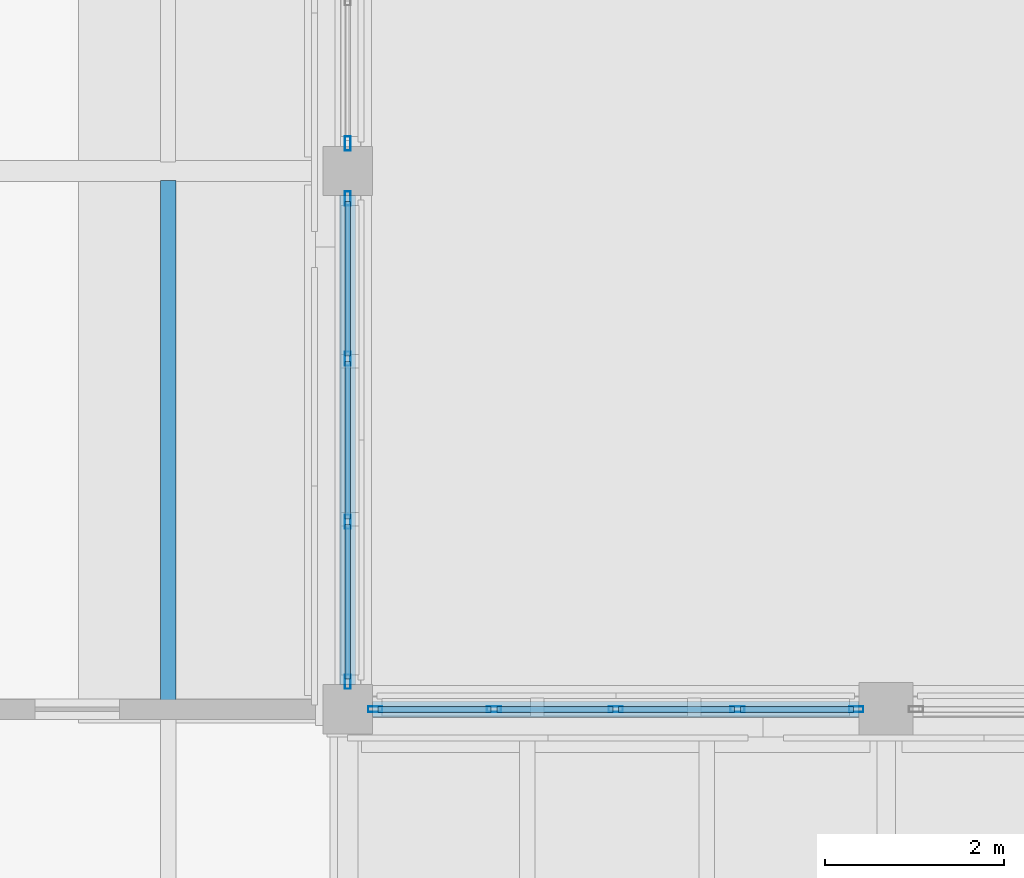
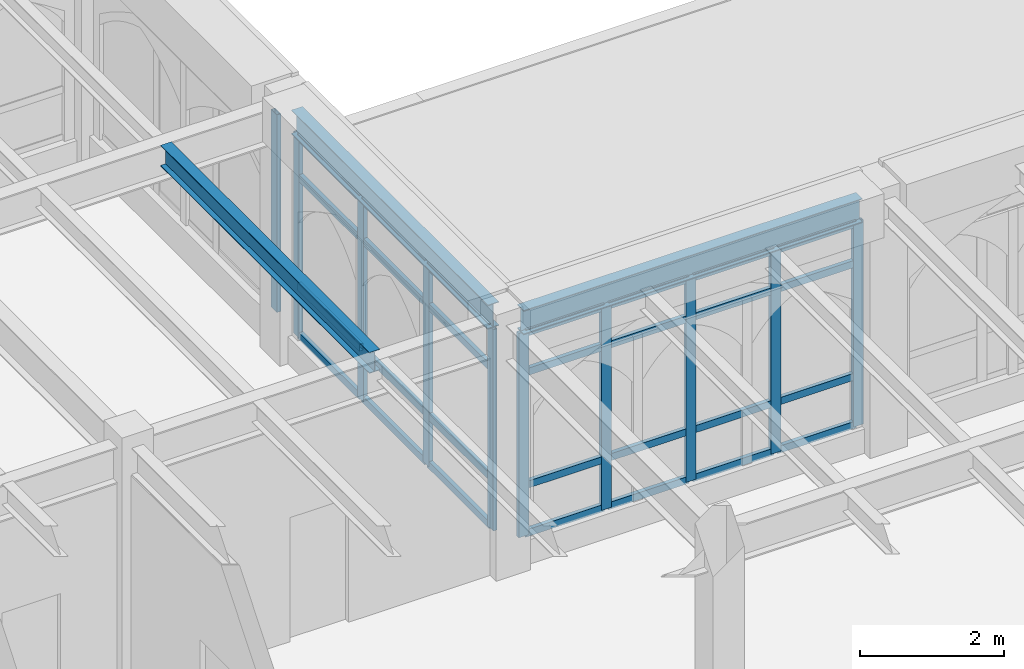
# One storey, part 75 of 143: 38 members, 3 beams, 3 elements without a shape of their own.
"""IFC4 building model written with IfcOpenShell, lengths in metres."""

from ifc_helpers import new_model, si_unit, direction, frame, origin, origin_2d, place, context, subcontext, project, spatial, hollow_rectangle, i_section, extrude, material, layer, layer_set, material_profile, profile_set, type_object, element, aggregate, save


model = new_model("IFC4")

# Units and contexts
model_context = context("Model", 3, precision=1e-05, world=origin(), true_north=direction((0.0, 1.0)))
body_context = subcontext(model_context, "Body", "Model", "MODEL_VIEW")
ifc_project = project(units=[si_unit("LENGTHUNIT", "METRE"), si_unit("AREAUNIT", "SQUARE_METRE"), si_unit("VOLUMEUNIT", "CUBIC_METRE"), si_unit("PLANEANGLEUNIT", "RADIAN"), si_unit("MASSUNIT", "GRAM", prefix="KILO")], contexts=[model_context])

# Site, building, storey
site_placement = place(None, origin())
site = spatial("IfcSite", under=ifc_project, at=site_placement, CompositionType="ELEMENT")
building_placement = place(site_placement, origin())
building = spatial("IfcBuilding", under=site, at=building_placement, Name="Cumevento Cable Car Station", CompositionType="ELEMENT")
storey_placement = place(building_placement, frame((0.0, 0.0, 9.0)))
storey = spatial("IfcBuildingStorey", under=building, at=storey_placement, Name="L03", CompositionType="ELEMENT", Elevation=9.0)

# Curtain wall, members
ifc_material_1 = material(Name="Anodised Bronze Aluminium AW-6063-T6", Category="aluminium")
ifc_layer_1 = layer(ifc_material_1, 0.18994140625)
ifc_layer_set_1 = layer_set([ifc_layer_1], Name="Anodised Bronze Aluminium AW-6063-T6")
curtain_wall_type_1 = type_object("IfcCurtainWallType", Name="Lancet Curtain Wall CW-06 1250", PredefinedType="NOTDEFINED", material=ifc_layer_set_1)
curtain_wall_1_placement = place(storey_placement, origin())
curtain_wall_1 = element("IfcCurtainWall", 1, at=curtain_wall_1_placement, inside=storey, type_object=curtain_wall_type_1, Name="Lancet Curtain Wall CW-06 L03 #133", PredefinedType="NOTDEFINED")
ifc_material_2 = material(Name="Anodised Bronze Aluminium AW-6063-T6", Category="aluminium")
ifc_material_profile_1 = material_profile(ifc_material_2, hollow_rectangle(XDim=0.06494140625, YDim=0.159912109375, WallThickness=0.00390625, at=origin_2d()), Name="ALUM65x160x4")
ifc_profile_set_1 = profile_set([ifc_material_profile_1], Name="Anodised Bronze Aluminium AW-6063-T6")
member_type_1 = type_object("IfcMemberType", Name="Curtain Mullion CWM-01 ALUM65x160x4", PredefinedType="MULLION", material=ifc_profile_set_1)
member_1_placement = place(storey_placement, frame((142.3076171875, 45.0, 0.409912109375), z_axis=(0.0, 0.0, 1.0), x_axis=(0.0, 1.0, 0.0)))
member_1 = element("IfcMember", 2, at=member_1_placement, type_object=member_type_1, Name="CW-06 mullion 1", PredefinedType="MULLION", context=body_context, shape_type="SweptSolid", body=[
    extrude(hollow_rectangle(XDim=0.06494140625, YDim=0.159912109375, WallThickness=0.00390625, at=origin_2d()), origin(), (0.0, 0.0, 1.0), 3.458984375),
])
member_2_placement = place(storey_placement, frame((143.63134765625, 45.0, 0.409912109375), z_axis=(0.0, 0.0, 1.0), x_axis=(0.0, 1.0, 0.0)))
member_2 = element("IfcMember", 3, at=member_2_placement, type_object=member_type_1, Name="CW-06 mullion 2", PredefinedType="MULLION", context=body_context, shape_type="SweptSolid", body=[
    extrude(hollow_rectangle(XDim=0.06494140625, YDim=0.159912109375, WallThickness=0.00390625, at=origin_2d()), origin(), (0.0, 0.0, 1.0), 3.458984375),
])
member_3_placement = place(storey_placement, frame((144.987548828125, 45.0, 0.409912109375), z_axis=(0.0, 0.0, 1.0), x_axis=(0.0, 1.0, 0.0)))
member_3 = element("IfcMember", 4, at=member_3_placement, type_object=member_type_1, Name="CW-06 mullion 3", PredefinedType="MULLION", context=body_context, shape_type="SweptSolid", body=[
    extrude(hollow_rectangle(XDim=0.06494140625, YDim=0.159912109375, WallThickness=0.00390625, at=origin_2d()), origin(), (0.0, 0.0, 1.0), 3.458984375),
])
member_4_placement = place(storey_placement, frame((146.34375, 45.0, 0.409912109375), z_axis=(0.0, 0.0, 1.0), x_axis=(0.0, 1.0, 0.0)))
member_4 = element("IfcMember", 5, at=member_4_placement, type_object=member_type_1, Name="CW-06 mullion 4", PredefinedType="MULLION", context=body_context, shape_type="SweptSolid", body=[
    extrude(hollow_rectangle(XDim=0.06494140625, YDim=0.159912109375, WallThickness=0.00390625, at=origin_2d()), origin(), (0.0, 0.0, 1.0), 3.458984375),
])
member_5_placement = place(storey_placement, frame((147.66748046875, 45.0, 0.409912109375), z_axis=(0.0, 0.0, 1.0), x_axis=(0.0, 1.0, 0.0)))
member_5 = element("IfcMember", 6, at=member_5_placement, type_object=member_type_1, Name="CW-06 mullion 5", PredefinedType="MULLION", context=body_context, shape_type="SweptSolid", body=[
    extrude(hollow_rectangle(XDim=0.06494140625, YDim=0.159912109375, WallThickness=0.00390625, at=origin_2d()), origin(), (0.0, 0.0, 1.0), 3.458984375),
])

ifc_material_3 = material(Name="Anodised Bronze Aluminium AW-6063-T6", Category="aluminium")
ifc_layer_2 = layer(ifc_material_3, 0.243896484375)
ifc_layer_set_2 = layer_set([ifc_layer_2], Name="Anodised Bronze Aluminium AW-6063-T6")
curtain_wall_type_2 = type_object("IfcCurtainWallType", Name="Lancet Curtain Wall CW-15 1610", PredefinedType="NOTDEFINED", material=ifc_layer_set_2)
curtain_wall_2_placement = place(storey_placement, origin())
curtain_wall_2 = element("IfcCurtainWall", 7, at=curtain_wall_2_placement, inside=storey, type_object=curtain_wall_type_2, Name="Lancet Curtain Wall CW-15 L03 #142", PredefinedType="NOTDEFINED")
member_6_placement = place(storey_placement, frame((142.0, 50.6923828125, 0.4599609375), z_axis=(0.0, 0.0, 1.0), x_axis=(1.0, 0.0, 0.0)))
member_6 = element("IfcMember", 8, at=member_6_placement, type_object=member_type_1, Name="CW-15 mullion 1", PredefinedType="MULLION", context=body_context, shape_type="SweptSolid", body=[
    extrude(hollow_rectangle(XDim=0.06494140625, YDim=0.159912109375, WallThickness=0.00390625, at=origin_2d()), origin(), (0.0, 0.0, 1.0), 3.408935546875),
])
member_7_placement = place(storey_placement, frame((142.0, 48.908447265625, 0.4599609375), z_axis=(0.0, 0.0, 1.0), x_axis=(1.0, 0.0, 0.0)))
member_7 = element("IfcMember", 9, at=member_7_placement, type_object=member_type_1, Name="CW-15 mullion 2", PredefinedType="MULLION", context=body_context, shape_type="SweptSolid", body=[
    extrude(hollow_rectangle(XDim=0.06494140625, YDim=0.159912109375, WallThickness=0.00390625, at=origin_2d()), origin(), (0.0, 0.0, 1.0), 3.408935546875),
])
member_8_placement = place(storey_placement, frame((142.0, 47.091552734375, 0.4599609375), z_axis=(0.0, 0.0, 1.0), x_axis=(1.0, 0.0, 0.0)))
member_8 = element("IfcMember", 10, at=member_8_placement, type_object=member_type_1, Name="CW-15 mullion 3", PredefinedType="MULLION", context=body_context, shape_type="SweptSolid", body=[
    extrude(hollow_rectangle(XDim=0.06494140625, YDim=0.159912109375, WallThickness=0.00390625, at=origin_2d()), origin(), (0.0, 0.0, 1.0), 3.408935546875),
])
member_9_placement = place(storey_placement, frame((142.0, 45.3076171875, 0.4599609375), z_axis=(0.0, 0.0, 1.0), x_axis=(1.0, 0.0, 0.0)))
member_9 = element("IfcMember", 11, at=member_9_placement, type_object=member_type_1, Name="CW-15 mullion 4", PredefinedType="MULLION", context=body_context, shape_type="SweptSolid", body=[
    extrude(hollow_rectangle(XDim=0.06494140625, YDim=0.159912109375, WallThickness=0.00390625, at=origin_2d()), origin(), (0.0, 0.0, 1.0), 3.408935546875),
])

# Curtain wall, member
ifc_material_4 = material(Name="Anodised Bronze Aluminium AW-6063-T6", Category="aluminium")
ifc_layer_3 = layer(ifc_material_4, 0.25)
ifc_layer_set_3 = layer_set([ifc_layer_3], Name="Anodised Bronze Aluminium AW-6063-T6")
curtain_wall_type_3 = type_object("IfcCurtainWallType", Name="Lancet Curtain Wall CW-16 1650", PredefinedType="NOTDEFINED", material=ifc_layer_set_3)
curtain_wall_3_placement = place(storey_placement, origin())
curtain_wall_3 = element("IfcCurtainWall", 12, at=curtain_wall_3_placement, inside=storey, type_object=curtain_wall_type_3, Name="Lancet Curtain Wall CW-16 L03 #143", PredefinedType="NOTDEFINED")
member_10_placement = place(storey_placement, frame((142.0, 51.3076171875, 0.52001953125), z_axis=(0.0, 0.0, 1.0), x_axis=(1.0, 0.0, 0.0)))
member_10 = element("IfcMember", 13, at=member_10_placement, type_object=member_type_1, Name="CW-16 mullion 4", PredefinedType="MULLION", context=body_context, shape_type="SweptSolid", body=[
    extrude(hollow_rectangle(XDim=0.06494140625, YDim=0.159912109375, WallThickness=0.00390625, at=origin_2d()), origin(), (0.0, 0.0, 1.0), 3.348876953125),
])
aggregate(curtain_wall_3, [member_10])

# Member
ifc_material_5 = material(Name="Anodised Bronze Aluminium AW-6063-T6", Category="aluminium")
ifc_material_profile_2 = material_profile(ifc_material_5, hollow_rectangle(XDim=0.06494140625, YDim=0.1201171875, WallThickness=0.00390625, at=origin_2d()), Name="ALUT65x120x4")
ifc_profile_set_2 = profile_set([ifc_material_profile_2], Name="Anodised Bronze Aluminium AW-6063-T6")
member_type_2 = type_object("IfcMemberType", Name="Curtain Transom CWT-01 ALUT65x120x4", PredefinedType="USERDEFINED", material=ifc_profile_set_2)
member_11_placement = place(storey_placement, frame((142.340087890625, 45.0, 0.4423828125), z_axis=(1.0, 0.0, 0.0), x_axis=(0.0, 1.0, 0.0)))
member_11 = element("IfcMember", 14, at=member_11_placement, type_object=member_type_2, Name="CW-06 transom 1.1", ObjectType="TRANSOM", PredefinedType="USERDEFINED", context=body_context, shape_type="SweptSolid", body=[
    extrude(hollow_rectangle(XDim=0.06494140625, YDim=0.1201171875, WallThickness=0.00390625, at=origin_2d()), origin(), (0.0, 0.0, 1.0), 1.258544921875),
])

member_12_placement = place(storey_placement, frame((142.340087890625, 45.0, 1.260009765625), z_axis=(1.0, 0.0, 0.0), x_axis=(0.0, 1.0, 0.0)))
member_12 = element("IfcMember", 15, at=member_12_placement, type_object=member_type_2, Name="CW-06 transom 1.2", ObjectType="TRANSOM", PredefinedType="USERDEFINED", context=body_context, shape_type="SweptSolid", body=[
    extrude(hollow_rectangle(XDim=0.06494140625, YDim=0.1201171875, WallThickness=0.00390625, at=origin_2d()), origin(), (0.0, 0.0, 1.0), 1.258544921875),
])

member_13_placement = place(storey_placement, frame((142.340087890625, 45.0, 3.1689453125), z_axis=(1.0, 0.0, 0.0), x_axis=(0.0, 1.0, 0.0)))
member_13 = element("IfcMember", 16, at=member_13_placement, type_object=member_type_2, Name="CW-06 transom 1.3", ObjectType="TRANSOM", PredefinedType="USERDEFINED", context=body_context, shape_type="SweptSolid", body=[
    extrude(hollow_rectangle(XDim=0.06494140625, YDim=0.1201171875, WallThickness=0.00390625, at=origin_2d()), origin(), (0.0, 0.0, 1.0), 1.258544921875),
])

member_14_placement = place(storey_placement, frame((142.340087890625, 45.0, 3.83642578125), z_axis=(1.0, 0.0, 0.0), x_axis=(0.0, 1.0, 0.0)))
member_14 = element("IfcMember", 17, at=member_14_placement, type_object=member_type_2, Name="CW-06 transom 1.4", ObjectType="TRANSOM", PredefinedType="USERDEFINED", context=body_context, shape_type="SweptSolid", body=[
    extrude(hollow_rectangle(XDim=0.06494140625, YDim=0.1201171875, WallThickness=0.00390625, at=origin_2d()), origin(), (0.0, 0.0, 1.0), 1.258544921875),
])

member_15_placement = place(storey_placement, frame((143.663818359375, 45.0, 0.4423828125), z_axis=(1.0, 0.0, 0.0), x_axis=(0.0, 1.0, 0.0)))
member_15 = element("IfcMember", 18, at=member_15_placement, type_object=member_type_2, Name="CW-06 transom 2.1", ObjectType="TRANSOM", PredefinedType="USERDEFINED", context=body_context, shape_type="SweptSolid", body=[
    extrude(hollow_rectangle(XDim=0.06494140625, YDim=0.1201171875, WallThickness=0.00390625, at=origin_2d()), origin(), (0.0, 0.0, 1.0), 1.291259765625),
])

member_16_placement = place(storey_placement, frame((143.663818359375, 45.0, 1.260009765625), z_axis=(1.0, 0.0, 0.0), x_axis=(0.0, 1.0, 0.0)))
member_16 = element("IfcMember", 19, at=member_16_placement, type_object=member_type_2, Name="CW-06 transom 2.2", ObjectType="TRANSOM", PredefinedType="USERDEFINED", context=body_context, shape_type="SweptSolid", body=[
    extrude(hollow_rectangle(XDim=0.06494140625, YDim=0.1201171875, WallThickness=0.00390625, at=origin_2d()), origin(), (0.0, 0.0, 1.0), 1.291259765625),
])

member_17_placement = place(storey_placement, frame((143.663818359375, 45.0, 3.1689453125), z_axis=(1.0, 0.0, 0.0), x_axis=(0.0, 1.0, 0.0)))
member_17 = element("IfcMember", 20, at=member_17_placement, type_object=member_type_2, Name="CW-06 transom 2.3", ObjectType="TRANSOM", PredefinedType="USERDEFINED", context=body_context, shape_type="SweptSolid", body=[
    extrude(hollow_rectangle(XDim=0.06494140625, YDim=0.1201171875, WallThickness=0.00390625, at=origin_2d()), origin(), (0.0, 0.0, 1.0), 1.291259765625),
])

member_18_placement = place(storey_placement, frame((143.663818359375, 45.0, 3.83642578125), z_axis=(1.0, 0.0, 0.0), x_axis=(0.0, 1.0, 0.0)))
member_18 = element("IfcMember", 21, at=member_18_placement, type_object=member_type_2, Name="CW-06 transom 2.4", ObjectType="TRANSOM", PredefinedType="USERDEFINED", context=body_context, shape_type="SweptSolid", body=[
    extrude(hollow_rectangle(XDim=0.06494140625, YDim=0.1201171875, WallThickness=0.00390625, at=origin_2d()), origin(), (0.0, 0.0, 1.0), 1.291259765625),
])

member_19_placement = place(storey_placement, frame((145.02001953125, 45.0, 0.4423828125), z_axis=(1.0, 0.0, 0.0), x_axis=(0.0, 1.0, 0.0)))
member_19 = element("IfcMember", 22, at=member_19_placement, type_object=member_type_2, Name="CW-06 transom 3.1", ObjectType="TRANSOM", PredefinedType="USERDEFINED", context=body_context, shape_type="SweptSolid", body=[
    extrude(hollow_rectangle(XDim=0.06494140625, YDim=0.1201171875, WallThickness=0.00390625, at=origin_2d()), origin(), (0.0, 0.0, 1.0), 1.291259765625),
])

member_20_placement = place(storey_placement, frame((145.02001953125, 45.0, 1.260009765625), z_axis=(1.0, 0.0, 0.0), x_axis=(0.0, 1.0, 0.0)))
member_20 = element("IfcMember", 23, at=member_20_placement, type_object=member_type_2, Name="CW-06 transom 3.2", ObjectType="TRANSOM", PredefinedType="USERDEFINED", context=body_context, shape_type="SweptSolid", body=[
    extrude(hollow_rectangle(XDim=0.06494140625, YDim=0.1201171875, WallThickness=0.00390625, at=origin_2d()), origin(), (0.0, 0.0, 1.0), 1.291259765625),
])

member_21_placement = place(storey_placement, frame((145.02001953125, 45.0, 3.1689453125), z_axis=(1.0, 0.0, 0.0), x_axis=(0.0, 1.0, 0.0)))
member_21 = element("IfcMember", 24, at=member_21_placement, type_object=member_type_2, Name="CW-06 transom 3.3", ObjectType="TRANSOM", PredefinedType="USERDEFINED", context=body_context, shape_type="SweptSolid", body=[
    extrude(hollow_rectangle(XDim=0.06494140625, YDim=0.1201171875, WallThickness=0.00390625, at=origin_2d()), origin(), (0.0, 0.0, 1.0), 1.291259765625),
])

member_22_placement = place(storey_placement, frame((145.02001953125, 45.0, 3.83642578125), z_axis=(1.0, 0.0, 0.0), x_axis=(0.0, 1.0, 0.0)))
member_22 = element("IfcMember", 25, at=member_22_placement, type_object=member_type_2, Name="CW-06 transom 3.4", ObjectType="TRANSOM", PredefinedType="USERDEFINED", context=body_context, shape_type="SweptSolid", body=[
    extrude(hollow_rectangle(XDim=0.06494140625, YDim=0.1201171875, WallThickness=0.00390625, at=origin_2d()), origin(), (0.0, 0.0, 1.0), 1.291259765625),
])

member_23_placement = place(storey_placement, frame((146.376220703125, 45.0, 0.4423828125), z_axis=(1.0, 0.0, 0.0), x_axis=(0.0, 1.0, 0.0)))
member_23 = element("IfcMember", 26, at=member_23_placement, type_object=member_type_2, Name="CW-06 transom 4.1", ObjectType="TRANSOM", PredefinedType="USERDEFINED", context=body_context, shape_type="SweptSolid", body=[
    extrude(hollow_rectangle(XDim=0.06494140625, YDim=0.1201171875, WallThickness=0.00390625, at=origin_2d()), origin(), (0.0, 0.0, 1.0), 1.2587890625),
])

member_24_placement = place(storey_placement, frame((146.376220703125, 45.0, 1.260009765625), z_axis=(1.0, 0.0, 0.0), x_axis=(0.0, 1.0, 0.0)))
member_24 = element("IfcMember", 27, at=member_24_placement, type_object=member_type_2, Name="CW-06 transom 4.2", ObjectType="TRANSOM", PredefinedType="USERDEFINED", context=body_context, shape_type="SweptSolid", body=[
    extrude(hollow_rectangle(XDim=0.06494140625, YDim=0.1201171875, WallThickness=0.00390625, at=origin_2d()), origin(), (0.0, 0.0, 1.0), 1.2587890625),
])

member_25_placement = place(storey_placement, frame((146.376220703125, 45.0, 3.1689453125), z_axis=(1.0, 0.0, 0.0), x_axis=(0.0, 1.0, 0.0)))
member_25 = element("IfcMember", 28, at=member_25_placement, type_object=member_type_2, Name="CW-06 transom 4.3", ObjectType="TRANSOM", PredefinedType="USERDEFINED", context=body_context, shape_type="SweptSolid", body=[
    extrude(hollow_rectangle(XDim=0.06494140625, YDim=0.1201171875, WallThickness=0.00390625, at=origin_2d()), origin(), (0.0, 0.0, 1.0), 1.2587890625),
])

member_26_placement = place(storey_placement, frame((146.376220703125, 45.0, 3.83642578125), z_axis=(1.0, 0.0, 0.0), x_axis=(0.0, 1.0, 0.0)))
member_26 = element("IfcMember", 29, at=member_26_placement, type_object=member_type_2, Name="CW-06 transom 4.4", ObjectType="TRANSOM", PredefinedType="USERDEFINED", context=body_context, shape_type="SweptSolid", body=[
    extrude(hollow_rectangle(XDim=0.06494140625, YDim=0.1201171875, WallThickness=0.00390625, at=origin_2d()), origin(), (0.0, 0.0, 1.0), 1.2587890625),
])

aggregate(curtain_wall_1, [member_1, member_2, member_3, member_4, member_5, member_11, member_12, member_13, member_14, member_15, member_16, member_17, member_18, member_19, member_20, member_21, member_22, member_23, member_24, member_25, member_26])

member_27_placement = place(storey_placement, frame((142.0, 50.659912109375, 0.492431640625), z_axis=(0.0, -1.0, 0.0), x_axis=(1.0, 0.0, 0.0)))
member_27 = element("IfcMember", 30, at=member_27_placement, type_object=member_type_2, Name="CW-15 transom 1.1", ObjectType="TRANSOM", PredefinedType="USERDEFINED", context=body_context, shape_type="SweptSolid", body=[
    extrude(hollow_rectangle(XDim=0.06494140625, YDim=0.1201171875, WallThickness=0.00390625, at=origin_2d()), origin(), (0.0, 0.0, 1.0), 1.718994140625),
])

member_28_placement = place(storey_placement, frame((142.0, 50.659912109375, 1.31005859375), z_axis=(0.0, -1.0, 0.0), x_axis=(1.0, 0.0, 0.0)))
member_28 = element("IfcMember", 31, at=member_28_placement, type_object=member_type_2, Name="CW-15 transom 1.2", ObjectType="TRANSOM", PredefinedType="USERDEFINED", context=body_context, shape_type="SweptSolid", body=[
    extrude(hollow_rectangle(XDim=0.06494140625, YDim=0.1201171875, WallThickness=0.00390625, at=origin_2d()), origin(), (0.0, 0.0, 1.0), 1.718994140625),
])

member_29_placement = place(storey_placement, frame((142.0, 50.659912109375, 3.1689453125), z_axis=(0.0, -1.0, 0.0), x_axis=(1.0, 0.0, 0.0)))
member_29 = element("IfcMember", 32, at=member_29_placement, type_object=member_type_2, Name="CW-15 transom 1.3", ObjectType="TRANSOM", PredefinedType="USERDEFINED", context=body_context, shape_type="SweptSolid", body=[
    extrude(hollow_rectangle(XDim=0.06494140625, YDim=0.1201171875, WallThickness=0.00390625, at=origin_2d()), origin(), (0.0, 0.0, 1.0), 1.718994140625),
])

member_30_placement = place(storey_placement, frame((142.0, 50.659912109375, 3.83642578125), z_axis=(0.0, -1.0, 0.0), x_axis=(1.0, 0.0, 0.0)))
member_30 = element("IfcMember", 33, at=member_30_placement, type_object=member_type_2, Name="CW-15 transom 1.4", ObjectType="TRANSOM", PredefinedType="USERDEFINED", context=body_context, shape_type="SweptSolid", body=[
    extrude(hollow_rectangle(XDim=0.06494140625, YDim=0.1201171875, WallThickness=0.00390625, at=origin_2d()), origin(), (0.0, 0.0, 1.0), 1.718994140625),
])

member_31_placement = place(storey_placement, frame((142.0, 48.875732421875, 0.492431640625), z_axis=(0.0, -1.0, 0.0), x_axis=(1.0, 0.0, 0.0)))
member_31 = element("IfcMember", 34, at=member_31_placement, type_object=member_type_2, Name="CW-15 transom 2.1", ObjectType="TRANSOM", PredefinedType="USERDEFINED", context=body_context, shape_type="SweptSolid", body=[
    extrude(hollow_rectangle(XDim=0.06494140625, YDim=0.1201171875, WallThickness=0.00390625, at=origin_2d()), origin(), (0.0, 0.0, 1.0), 1.75146484375),
])

member_32_placement = place(storey_placement, frame((142.0, 48.875732421875, 1.31005859375), z_axis=(0.0, -1.0, 0.0), x_axis=(1.0, 0.0, 0.0)))
member_32 = element("IfcMember", 35, at=member_32_placement, type_object=member_type_2, Name="CW-15 transom 2.2", ObjectType="TRANSOM", PredefinedType="USERDEFINED", context=body_context, shape_type="SweptSolid", body=[
    extrude(hollow_rectangle(XDim=0.06494140625, YDim=0.1201171875, WallThickness=0.00390625, at=origin_2d()), origin(), (0.0, 0.0, 1.0), 1.75146484375),
])

member_33_placement = place(storey_placement, frame((142.0, 48.875732421875, 3.1689453125), z_axis=(0.0, -1.0, 0.0), x_axis=(1.0, 0.0, 0.0)))
member_33 = element("IfcMember", 36, at=member_33_placement, type_object=member_type_2, Name="CW-15 transom 2.3", ObjectType="TRANSOM", PredefinedType="USERDEFINED", context=body_context, shape_type="SweptSolid", body=[
    extrude(hollow_rectangle(XDim=0.06494140625, YDim=0.1201171875, WallThickness=0.00390625, at=origin_2d()), origin(), (0.0, 0.0, 1.0), 1.75146484375),
])

member_34_placement = place(storey_placement, frame((142.0, 48.875732421875, 3.83642578125), z_axis=(0.0, -1.0, 0.0), x_axis=(1.0, 0.0, 0.0)))
member_34 = element("IfcMember", 37, at=member_34_placement, type_object=member_type_2, Name="CW-15 transom 2.4", ObjectType="TRANSOM", PredefinedType="USERDEFINED", context=body_context, shape_type="SweptSolid", body=[
    extrude(hollow_rectangle(XDim=0.06494140625, YDim=0.1201171875, WallThickness=0.00390625, at=origin_2d()), origin(), (0.0, 0.0, 1.0), 1.75146484375),
])

member_35_placement = place(storey_placement, frame((142.0, 47.05908203125, 0.492431640625), z_axis=(0.0, -1.0, 0.0), x_axis=(1.0, 0.0, 0.0)))
member_35 = element("IfcMember", 38, at=member_35_placement, type_object=member_type_2, Name="CW-15 transom 3.1", ObjectType="TRANSOM", PredefinedType="USERDEFINED", context=body_context, shape_type="SweptSolid", body=[
    extrude(hollow_rectangle(XDim=0.06494140625, YDim=0.1201171875, WallThickness=0.00390625, at=origin_2d()), origin(), (0.0, 0.0, 1.0), 1.718994140625),
])

member_36_placement = place(storey_placement, frame((142.0, 47.05908203125, 1.31005859375), z_axis=(0.0, -1.0, 0.0), x_axis=(1.0, 0.0, 0.0)))
member_36 = element("IfcMember", 39, at=member_36_placement, type_object=member_type_2, Name="CW-15 transom 3.2", ObjectType="TRANSOM", PredefinedType="USERDEFINED", context=body_context, shape_type="SweptSolid", body=[
    extrude(hollow_rectangle(XDim=0.06494140625, YDim=0.1201171875, WallThickness=0.00390625, at=origin_2d()), origin(), (0.0, 0.0, 1.0), 1.718994140625),
])

member_37_placement = place(storey_placement, frame((142.0, 47.05908203125, 3.1689453125), z_axis=(0.0, -1.0, 0.0), x_axis=(1.0, 0.0, 0.0)))
member_37 = element("IfcMember", 40, at=member_37_placement, type_object=member_type_2, Name="CW-15 transom 3.3", ObjectType="TRANSOM", PredefinedType="USERDEFINED", context=body_context, shape_type="SweptSolid", body=[
    extrude(hollow_rectangle(XDim=0.06494140625, YDim=0.1201171875, WallThickness=0.00390625, at=origin_2d()), origin(), (0.0, 0.0, 1.0), 1.718994140625),
])

member_38_placement = place(storey_placement, frame((142.0, 47.05908203125, 3.83642578125), z_axis=(0.0, -1.0, 0.0), x_axis=(1.0, 0.0, 0.0)))
member_38 = element("IfcMember", 41, at=member_38_placement, type_object=member_type_2, Name="CW-15 transom 3.4", ObjectType="TRANSOM", PredefinedType="USERDEFINED", context=body_context, shape_type="SweptSolid", body=[
    extrude(hollow_rectangle(XDim=0.06494140625, YDim=0.1201171875, WallThickness=0.00390625, at=origin_2d()), origin(), (0.0, 0.0, 1.0), 1.718994140625),
])

aggregate(curtain_wall_2, [member_6, member_7, member_8, member_9, member_27, member_28, member_29, member_30, member_31, member_32, member_33, member_34, member_35, member_36, member_37, member_38])

# Beams
ifc_material_6 = material(Name="Steel ASTM A572 Grade 50", Category="steel")
ifc_material_profile_3 = material_profile(ifc_material_6, i_section(OverallWidth=0.1708984375, OverallDepth=0.35498046875, WebThickness=0.007080078125, FlangeThickness=0.01171875, at=origin_2d()), Name="W360x51.0")
ifc_profile_set_3 = profile_set([ifc_material_profile_3], Name="Steel ASTM A572 Grade 50")
beam_type_1 = type_object("IfcBeamType", Name="Structural Joist JS-01 W360x51.0", PredefinedType="JOIST", material=ifc_profile_set_3)
beam_1_placement = place(storey_placement, frame((140.0, 45.10302734375, 4.098388671875), z_axis=(0.0, 1.0, 0.0), x_axis=(-1.0, 0.0, 0.0)))
element("IfcBeam", 42, at=beam_1_placement, inside=storey, type_object=beam_type_1, Name="Composite Floor Joist JS-01 L03 #1340", PredefinedType="JOIST", context=body_context, shape_type="SweptSolid", body=[
    extrude(i_section(OverallWidth=0.1708984375, OverallDepth=0.35498046875, WebThickness=0.007080078125, FlangeThickness=0.01171875, at=origin_2d()), origin(), (0.0, 0.0, 1.0), 5.7939453125),
])
ifc_material_7 = material(Name="Steel ASTM A572 Grade 50", Category="steel")
ifc_material_profile_4 = material_profile(ifc_material_7, i_section(OverallWidth=0.177978515625, OverallDepth=0.406982421875, WebThickness=0.0078125, FlangeThickness=0.0126953125, at=origin_2d()), Name="W410x60.0")
ifc_profile_set_4 = profile_set([ifc_material_profile_4], Name="Steel ASTM A572 Grade 50")
beam_type_2 = type_object("IfcBeamType", Name="Structural Spandrel SP-01 W410x60.0", PredefinedType="SPANDREL", material=ifc_profile_set_4)
beam_2_placement = place(storey_placement, frame((142.27490234375, 45.0, 4.072509765625), z_axis=(1.0, 0.0, 0.0), x_axis=(0.0, 1.0, 0.0)))
element("IfcBeam", 43, at=beam_2_placement, inside=storey, type_object=beam_type_2, Name="Beam SP-01 L03 #1175", PredefinedType="SPANDREL", context=body_context, shape_type="SweptSolid", body=[
    extrude(i_section(OverallWidth=0.177978515625, OverallDepth=0.406982421875, WebThickness=0.0078125, FlangeThickness=0.0126953125, at=origin_2d()), origin(), (0.0, 0.0, 1.0), 5.425048828125),
])
beam_3_placement = place(storey_placement, frame((142.0, 45.27490234375, 4.072509765625), z_axis=(0.0, 1.0, 0.0), x_axis=(-1.0, 0.0, 0.0)))
element("IfcBeam", 44, at=beam_3_placement, inside=storey, type_object=beam_type_2, Name="Beam SP-01 L03 #1200", PredefinedType="SPANDREL", context=body_context, shape_type="SweptSolid", body=[
    extrude(i_section(OverallWidth=0.177978515625, OverallDepth=0.406982421875, WebThickness=0.0078125, FlangeThickness=0.0126953125, at=origin_2d()), origin(), (0.0, 0.0, 1.0), 5.4501953125),
])

save(model, "model.ifc")
